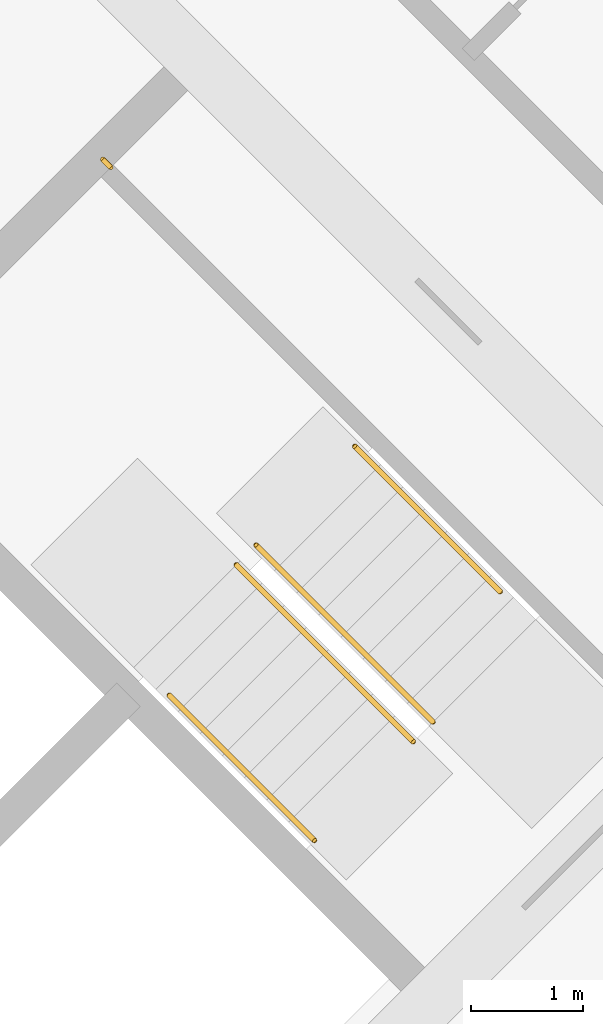
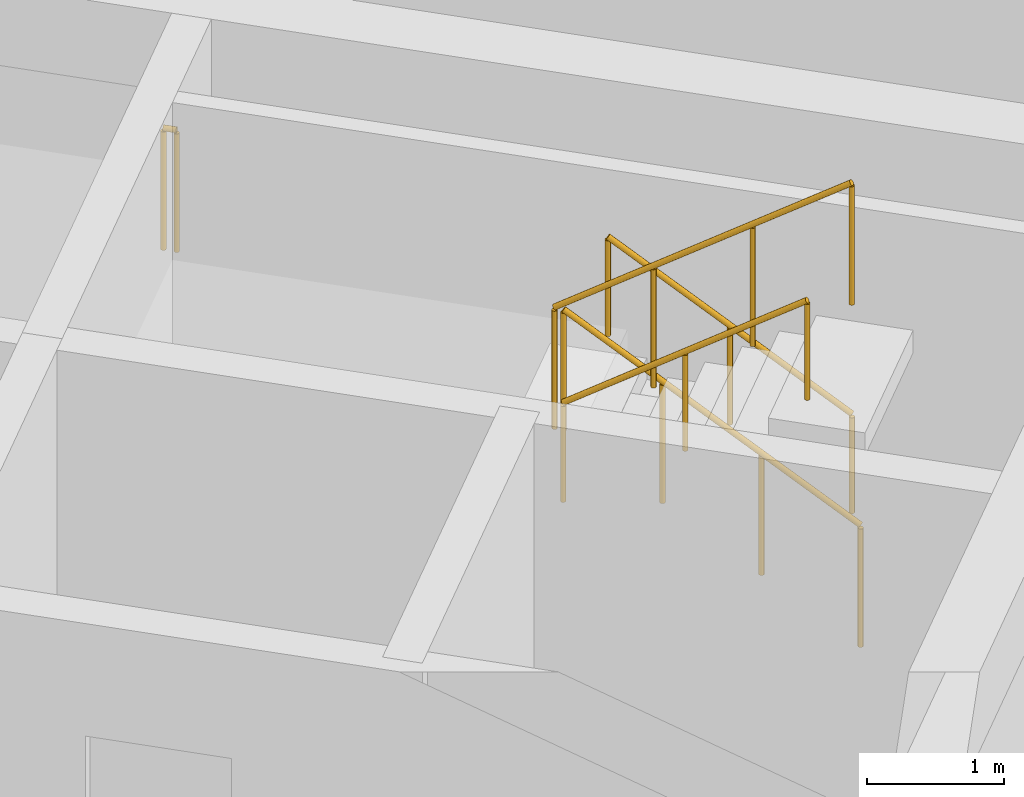
# One storey, part 12 of 12: 5 railings.
"""IFC4 building model written with IfcOpenShell, lengths in metres."""

from ifc_helpers import new_model, si_unit, direction, frame, origin, origin_2d, place, context, subcontext, project, spatial, circle, extrude, material, type_object, element, save


model = new_model("IFC4")

# Units and contexts
model_context = context("Model", 3, precision=1e-05, world=origin(), true_north=direction((0.0, 1.0)))
body_context = subcontext(model_context, "Body", "Model", "MODEL_VIEW")
ifc_project = project(units=[si_unit("LENGTHUNIT", "METRE"), si_unit("AREAUNIT", "SQUARE_METRE"), si_unit("VOLUMEUNIT", "CUBIC_METRE"), si_unit("PLANEANGLEUNIT", "RADIAN"), si_unit("MASSUNIT", "GRAM", prefix="KILO")], contexts=[model_context])

# Site, building, storey
site_placement = place(None, origin())
site = spatial("IfcSite", under=ifc_project, at=site_placement, CompositionType="ELEMENT")
building_placement = place(site_placement, origin())
building = spatial("IfcBuilding", under=site, at=building_placement, Name="Windrow Commons", CompositionType="ELEMENT")
storey_placement = place(building_placement, frame((0.0, 0.0, 213.4)))
storey = spatial("IfcBuildingStorey", under=building, at=storey_placement, Name="L58", CompositionType="ELEMENT", Elevation=213.4)

# Railings
ifc_material_1 = material(Name="Steel S355", Category="steel")
railing_type_1 = type_object("IfcRailingType", Name="Core stair guard 1100", PredefinedType="GUARDRAIL", material=ifc_material_1)
railing_1_placement = place(storey_placement, frame((94.2296, 48.4215, 0.1889)))
element("IfcRailing", 1, at=railing_1_placement, inside=storey, type_object=railing_type_1, Name="L58 ST-B2 stair guard 1", PredefinedType="GUARDRAIL", context=body_context, shape_type="SweptSolid", body=[
    extrude(circle(Radius=0.024, at=origin_2d()), frame((0.0, 0.0, 1.076), z_axis=(-0.5862157828, 0.5861787742, 0.5592365337), x_axis=(-0.7070844598, -0.7071291018, 0.0)), (0.0, 0.0, 1.0), 2.7021),
    extrude(circle(Radius=0.021, at=origin_2d()), origin(), (0.0, 0.0, 1.0), 1.052),
    extrude(circle(Radius=0.021, at=origin_2d()), frame((-0.528, 0.528, 0.5037)), (0.0, 0.0, 1.0), 1.052),
    extrude(circle(Radius=0.021, at=origin_2d()), frame((-1.056, 1.0559, 1.0074)), (0.0, 0.0, 1.0), 1.052),
    extrude(circle(Radius=0.021, at=origin_2d()), frame((-1.584, 1.5839, 1.5111)), (0.0, 0.0, 1.0), 1.052),
])
railing_2_placement = place(storey_placement, frame((92.4689, 49.8287, 1.8889)))
element("IfcRailing", 2, at=railing_2_placement, inside=storey, type_object=railing_type_1, Name="L58 ST-B2 stair guard 2", PredefinedType="GUARDRAIL", context=body_context, shape_type="SweptSolid", body=[
    extrude(circle(Radius=0.024, at=origin_2d()), frame((0.0, 0.0, 1.076), z_axis=(0.5861787742, -0.5862157828, 0.5592365337), x_axis=(0.7071291018, 0.7070844598, 0.0)), (0.0, 0.0, 1.0), 2.7021),
    extrude(circle(Radius=0.021, at=origin_2d()), origin(), (0.0, 0.0, 1.0), 1.052),
    extrude(circle(Radius=0.021, at=origin_2d()), frame((0.528, -0.528, 0.5037)), (0.0, 0.0, 1.0), 1.052),
    extrude(circle(Radius=0.021, at=origin_2d()), frame((1.0559, -1.056, 1.0074)), (0.0, 0.0, 1.0), 1.052),
    extrude(circle(Radius=0.021, at=origin_2d()), frame((1.5839, -1.584, 1.5111)), (0.0, 0.0, 1.0), 1.052),
])
railing_3_placement = place(storey_placement, frame((91.3446, 53.3854, 1.7)))
element("IfcRailing", 3, at=railing_3_placement, inside=storey, type_object=railing_type_1, Name="L58 ST-B2 stair guard 3", PredefinedType="GUARDRAIL", context=body_context, shape_type="SweptSolid", body=[
    extrude(circle(Radius=0.024, at=origin_2d()), frame((0.0, 0.0, 1.076), z_axis=(-0.7076063266, 0.7066068826, 0.0), x_axis=(-0.7066068826, -0.7076063266, 0.0)), (0.0, 0.0, 1.0), 0.1001),
    extrude(circle(Radius=0.021, at=origin_2d()), origin(), (0.0, 0.0, 1.0), 1.052),
    extrude(circle(Radius=0.021, at=origin_2d()), frame((-0.0708, 0.0707, 0.0)), (0.0, 0.0, 1.0), 1.052),
])
ifc_material_2 = material(Name="Steel S355", Category="steel")
railing_type_2 = type_object("IfcRailingType", Name="Core stair handrail 900", PredefinedType="HANDRAIL", material=ifc_material_2)
railing_4_placement = place(storey_placement, frame((94.8306, 49.5883, 0.4587)))
element("IfcRailing", 4, at=railing_4_placement, inside=storey, type_object=railing_type_2, Name="L58 ST-B2 stair handrail 1", PredefinedType="HANDRAIL", context=body_context, shape_type="SweptSolid", body=[
    extrude(circle(Radius=0.024, at=origin_2d()), frame((0.0, 0.0, 0.876), z_axis=(-0.586206706, 0.5861616513, 0.5592639952), x_axis=(-0.7070796062, -0.7071339551, 0.0)), (0.0, 0.0, 1.0), 2.2195),
    extrude(circle(Radius=0.021, at=origin_2d()), origin(), (0.0, 0.0, 1.0), 0.852),
    extrude(circle(Radius=0.021, at=origin_2d()), frame((-0.6506, 0.6505, 0.6206)), (0.0, 0.0, 1.0), 0.852),
    extrude(circle(Radius=0.021, at=origin_2d()), frame((-1.3011, 1.301, 1.2413)), (0.0, 0.0, 1.0), 0.852),
])
railing_5_placement = place(storey_placement, frame((91.8678, 48.6619, 2.1587)))
element("IfcRailing", 5, at=railing_5_placement, inside=storey, type_object=railing_type_2, Name="L58 ST-B2 stair handrail 2", PredefinedType="HANDRAIL", context=body_context, shape_type="SweptSolid", body=[
    extrude(circle(Radius=0.024, at=origin_2d()), frame((0.0, 0.0, 0.876), z_axis=(0.586206706, -0.5861616513, 0.5592639952), x_axis=(0.7070796062, 0.7071339551, 0.0)), (0.0, 0.0, 1.0), 2.2195),
    extrude(circle(Radius=0.021, at=origin_2d()), origin(), (0.0, 0.0, 1.0), 0.852),
    extrude(circle(Radius=0.021, at=origin_2d()), frame((0.6505, -0.6505, 0.6207)), (0.0, 0.0, 1.0), 0.852),
    extrude(circle(Radius=0.021, at=origin_2d()), frame((1.3011, -1.301, 1.2413)), (0.0, 0.0, 1.0), 0.852),
])

save(model, "model.ifc")
